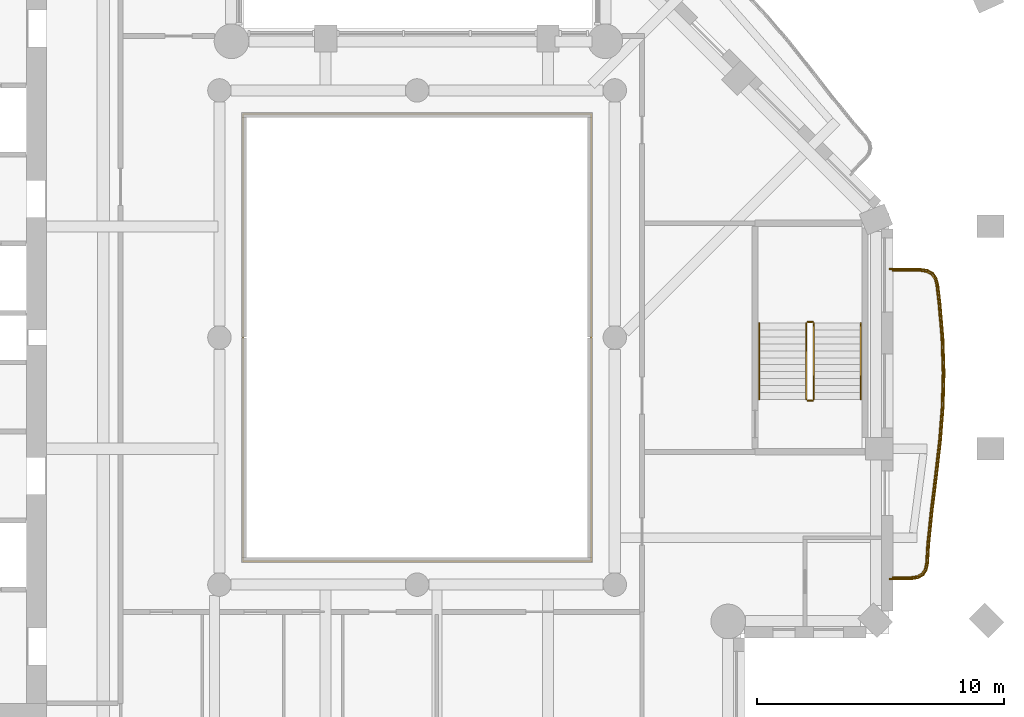
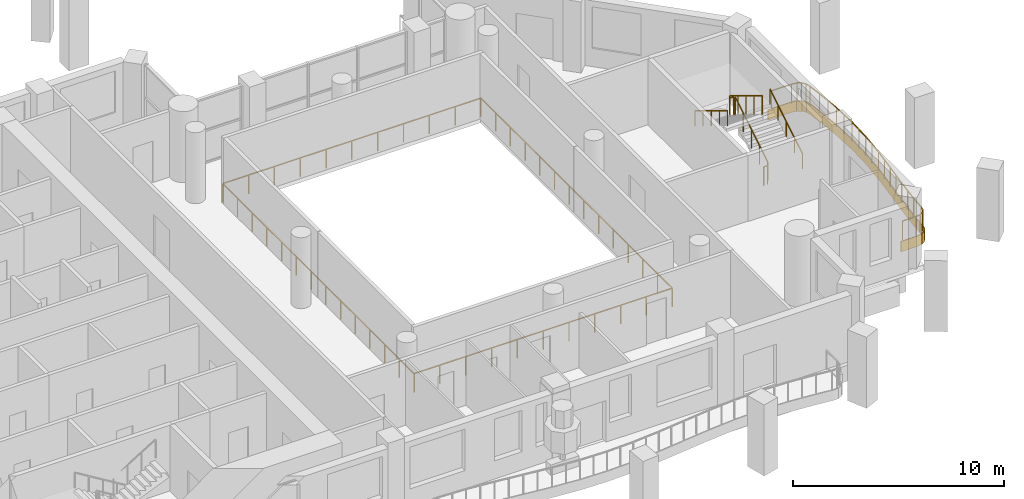
# One storey, part 11 of 14: 8 railings, 1 covering.
"""IFC4 building model written with IfcOpenShell, lengths in metres."""

from ifc_helpers import new_model, si_unit, direction, frame, origin, origin_2d, place, context, subcontext, project, spatial, polyline, rectangle, outline, extrude, material, layer, layer_set, type_object, element, save


model = new_model("IFC4")

# Units and contexts
model_context = context("Model", 3, precision=1e-05, world=origin(), true_north=direction((0.0, 1.0)))
body_context = subcontext(model_context, "Body", "Model", "MODEL_VIEW")
ifc_project = project(units=[si_unit("LENGTHUNIT", "METRE"), si_unit("AREAUNIT", "SQUARE_METRE"), si_unit("VOLUMEUNIT", "CUBIC_METRE"), si_unit("PLANEANGLEUNIT", "RADIAN"), si_unit("MASSUNIT", "GRAM", prefix="KILO")], contexts=[model_context])

# Site, building, storey
site_placement = place(None, origin())
site = spatial("IfcSite", under=ifc_project, at=site_placement, CompositionType="ELEMENT")
building_placement = place(site_placement, origin())
building = spatial("IfcBuilding", under=site, at=building_placement, Name="Cypress Arch Tower", CompositionType="ELEMENT")
storey_placement = place(building_placement, frame((0.0, 0.0, 185.10009765625)))
storey = spatial("IfcBuildingStorey", under=building, at=storey_placement, Name="L40", CompositionType="ELEMENT", Elevation=185.10009765625)

# Railing
ifc_material_1 = material(Name="Stainless steel posts and handrail, laminated glass infill", Category="steel")
railing_type_1 = type_object("IfcRailingType", Name="Atrium guard GR1100A", PredefinedType="GUARDRAIL", material=ifc_material_1)
railing_1_placement = place(storey_placement, frame((8.050048828125, -9.050048828125, 0.0)))
element("IfcRailing", 1, at=railing_1_placement, inside=storey, type_object=railing_type_1, Name="Atrium guard L40", PredefinedType="GUARDRAIL", context=body_context, shape_type="SweptSolid", body=[
    extrude(rectangle(XDim=0.050048828125, YDim=0.050048828125, at=origin_2d()), frame((0.0, 0.0, 1.0751953125), z_axis=(-1.0, 0.0, 0.0), x_axis=(0.0, -1.0, 0.0)), (0.0, 0.0, 1.0), 14.10009765625),
    extrude(rectangle(XDim=0.050048828125, YDim=0.050048828125, at=origin_2d()), frame((-14.10009765625, 0.0, 1.0751953125), z_axis=(0.0, 1.0, 0.0), x_axis=(-1.0, 0.0, 0.0)), (0.0, 0.0, 1.0), 18.10009765625),
    extrude(rectangle(XDim=0.050048828125, YDim=0.050048828125, at=origin_2d()), frame((-14.10009765625, 18.10009765625, 1.0751953125), z_axis=(1.0, 0.0, 0.0), x_axis=(0.0, 1.0, 0.0)), (0.0, 0.0, 1.0), 14.10009765625),
    extrude(rectangle(XDim=0.050048828125, YDim=0.050048828125, at=origin_2d()), frame((0.0, 18.10009765625, 1.0751953125), z_axis=(0.0, -1.0, 0.0), x_axis=(1.0, 0.0, 0.0)), (0.0, 0.0, 1.0), 18.10009765625),
    extrude(rectangle(XDim=0.050048828125, YDim=0.050048828125, at=origin_2d()), origin(), (0.0, 0.0, 1.0), 1.050048828125),
    extrude(rectangle(XDim=0.050048828125, YDim=0.050048828125, at=origin_2d()), frame((-1.409912109375, 0.0, 0.0)), (0.0, 0.0, 1.0), 1.050048828125),
    extrude(rectangle(XDim=0.050048828125, YDim=0.050048828125, at=origin_2d()), frame((-2.820068359375, 0.0, 0.0)), (0.0, 0.0, 1.0), 1.050048828125),
    extrude(rectangle(XDim=0.050048828125, YDim=0.050048828125, at=origin_2d()), frame((-4.22998046875, 0.0, 0.0)), (0.0, 0.0, 1.0), 1.050048828125),
    extrude(rectangle(XDim=0.050048828125, YDim=0.050048828125, at=origin_2d()), frame((-5.64013671875, 0.0, 0.0)), (0.0, 0.0, 1.0), 1.050048828125),
    extrude(rectangle(XDim=0.050048828125, YDim=0.050048828125, at=origin_2d()), frame((-7.050048828125, 0.0, 0.0)), (0.0, 0.0, 1.0), 1.050048828125),
    extrude(rectangle(XDim=0.050048828125, YDim=0.050048828125, at=origin_2d()), frame((-8.4599609375, 0.0, 0.0)), (0.0, 0.0, 1.0), 1.050048828125),
    extrude(rectangle(XDim=0.050048828125, YDim=0.050048828125, at=origin_2d()), frame((-9.8701171875, 0.0, 0.0)), (0.0, 0.0, 1.0), 1.050048828125),
    extrude(rectangle(XDim=0.050048828125, YDim=0.050048828125, at=origin_2d()), frame((-11.280029296875, 0.0, 0.0)), (0.0, 0.0, 1.0), 1.050048828125),
    extrude(rectangle(XDim=0.050048828125, YDim=0.050048828125, at=origin_2d()), frame((-12.690185546875, 0.0, 0.0)), (0.0, 0.0, 1.0), 1.050048828125),
    extrude(rectangle(XDim=0.050048828125, YDim=0.050048828125, at=origin_2d()), frame((-14.10009765625, 0.0, 0.0)), (0.0, 0.0, 1.0), 1.050048828125),
    extrude(rectangle(XDim=0.050048828125, YDim=0.050048828125, at=origin_2d()), frame((-14.10009765625, 1.392333984375, 0.0)), (0.0, 0.0, 1.0), 1.050048828125),
    extrude(rectangle(XDim=0.050048828125, YDim=0.050048828125, at=origin_2d()), frame((-14.10009765625, 2.78466796875, 0.0)), (0.0, 0.0, 1.0), 1.050048828125),
    extrude(rectangle(XDim=0.050048828125, YDim=0.050048828125, at=origin_2d()), frame((-14.10009765625, 4.177001953125, 0.0)), (0.0, 0.0, 1.0), 1.050048828125),
    extrude(rectangle(XDim=0.050048828125, YDim=0.050048828125, at=origin_2d()), frame((-14.10009765625, 5.5693359375, 0.0)), (0.0, 0.0, 1.0), 1.050048828125),
    extrude(rectangle(XDim=0.050048828125, YDim=0.050048828125, at=origin_2d()), frame((-14.10009765625, 6.961669921875, 0.0)), (0.0, 0.0, 1.0), 1.050048828125),
    extrude(rectangle(XDim=0.050048828125, YDim=0.050048828125, at=origin_2d()), frame((-14.10009765625, 8.35400390625, 0.0)), (0.0, 0.0, 1.0), 1.050048828125),
    extrude(rectangle(XDim=0.050048828125, YDim=0.050048828125, at=origin_2d()), frame((-14.10009765625, 9.74609375, 0.0)), (0.0, 0.0, 1.0), 1.050048828125),
    extrude(rectangle(XDim=0.050048828125, YDim=0.050048828125, at=origin_2d()), frame((-14.10009765625, 11.138427734375, 0.0)), (0.0, 0.0, 1.0), 1.050048828125),
    extrude(rectangle(XDim=0.050048828125, YDim=0.050048828125, at=origin_2d()), frame((-14.10009765625, 12.53076171875, 0.0)), (0.0, 0.0, 1.0), 1.050048828125),
    extrude(rectangle(XDim=0.050048828125, YDim=0.050048828125, at=origin_2d()), frame((-14.10009765625, 13.923095703125, 0.0)), (0.0, 0.0, 1.0), 1.050048828125),
    extrude(rectangle(XDim=0.050048828125, YDim=0.050048828125, at=origin_2d()), frame((-14.10009765625, 15.3154296875, 0.0)), (0.0, 0.0, 1.0), 1.050048828125),
    extrude(rectangle(XDim=0.050048828125, YDim=0.050048828125, at=origin_2d()), frame((-14.10009765625, 16.707763671875, 0.0)), (0.0, 0.0, 1.0), 1.050048828125),
    extrude(rectangle(XDim=0.050048828125, YDim=0.050048828125, at=origin_2d()), frame((-14.10009765625, 18.10009765625, 0.0)), (0.0, 0.0, 1.0), 1.050048828125),
    extrude(rectangle(XDim=0.050048828125, YDim=0.050048828125, at=origin_2d()), frame((-12.690185546875, 18.10009765625, 0.0)), (0.0, 0.0, 1.0), 1.050048828125),
    extrude(rectangle(XDim=0.050048828125, YDim=0.050048828125, at=origin_2d()), frame((-11.280029296875, 18.10009765625, 0.0)), (0.0, 0.0, 1.0), 1.050048828125),
    extrude(rectangle(XDim=0.050048828125, YDim=0.050048828125, at=origin_2d()), frame((-9.8701171875, 18.10009765625, 0.0)), (0.0, 0.0, 1.0), 1.050048828125),
    extrude(rectangle(XDim=0.050048828125, YDim=0.050048828125, at=origin_2d()), frame((-8.4599609375, 18.10009765625, 0.0)), (0.0, 0.0, 1.0), 1.050048828125),
    extrude(rectangle(XDim=0.050048828125, YDim=0.050048828125, at=origin_2d()), frame((-7.050048828125, 18.10009765625, 0.0)), (0.0, 0.0, 1.0), 1.050048828125),
    extrude(rectangle(XDim=0.050048828125, YDim=0.050048828125, at=origin_2d()), frame((-5.64013671875, 18.10009765625, 0.0)), (0.0, 0.0, 1.0), 1.050048828125),
    extrude(rectangle(XDim=0.050048828125, YDim=0.050048828125, at=origin_2d()), frame((-4.22998046875, 18.10009765625, 0.0)), (0.0, 0.0, 1.0), 1.050048828125),
    extrude(rectangle(XDim=0.050048828125, YDim=0.050048828125, at=origin_2d()), frame((-2.820068359375, 18.10009765625, 0.0)), (0.0, 0.0, 1.0), 1.050048828125),
    extrude(rectangle(XDim=0.050048828125, YDim=0.050048828125, at=origin_2d()), frame((-1.409912109375, 18.10009765625, 0.0)), (0.0, 0.0, 1.0), 1.050048828125),
    extrude(rectangle(XDim=0.050048828125, YDim=0.050048828125, at=origin_2d()), frame((0.0, 18.10009765625, 0.0)), (0.0, 0.0, 1.0), 1.050048828125),
    extrude(rectangle(XDim=0.050048828125, YDim=0.050048828125, at=origin_2d()), frame((0.0, 16.707763671875, 0.0)), (0.0, 0.0, 1.0), 1.050048828125),
    extrude(rectangle(XDim=0.050048828125, YDim=0.050048828125, at=origin_2d()), frame((0.0, 15.3154296875, 0.0)), (0.0, 0.0, 1.0), 1.050048828125),
    extrude(rectangle(XDim=0.050048828125, YDim=0.050048828125, at=origin_2d()), frame((0.0, 13.923095703125, 0.0)), (0.0, 0.0, 1.0), 1.050048828125),
    extrude(rectangle(XDim=0.050048828125, YDim=0.050048828125, at=origin_2d()), frame((0.0, 12.53076171875, 0.0)), (0.0, 0.0, 1.0), 1.050048828125),
    extrude(rectangle(XDim=0.050048828125, YDim=0.050048828125, at=origin_2d()), frame((0.0, 11.138427734375, 0.0)), (0.0, 0.0, 1.0), 1.050048828125),
    extrude(rectangle(XDim=0.050048828125, YDim=0.050048828125, at=origin_2d()), frame((0.0, 9.74609375, 0.0)), (0.0, 0.0, 1.0), 1.050048828125),
    extrude(rectangle(XDim=0.050048828125, YDim=0.050048828125, at=origin_2d()), frame((0.0, 8.35400390625, 0.0)), (0.0, 0.0, 1.0), 1.050048828125),
    extrude(rectangle(XDim=0.050048828125, YDim=0.050048828125, at=origin_2d()), frame((0.0, 6.961669921875, 0.0)), (0.0, 0.0, 1.0), 1.050048828125),
    extrude(rectangle(XDim=0.050048828125, YDim=0.050048828125, at=origin_2d()), frame((0.0, 5.5693359375, 0.0)), (0.0, 0.0, 1.0), 1.050048828125),
    extrude(rectangle(XDim=0.050048828125, YDim=0.050048828125, at=origin_2d()), frame((0.0, 4.177001953125, 0.0)), (0.0, 0.0, 1.0), 1.050048828125),
    extrude(rectangle(XDim=0.050048828125, YDim=0.050048828125, at=origin_2d()), frame((0.0, 2.78466796875, 0.0)), (0.0, 0.0, 1.0), 1.050048828125),
    extrude(rectangle(XDim=0.050048828125, YDim=0.050048828125, at=origin_2d()), frame((0.0, 1.392333984375, 0.0)), (0.0, 0.0, 1.0), 1.050048828125),
])

# Covering
ifc_material_2 = material(Name="White powder-coated aluminium fascia", Category="aluminium")
ifc_layer = layer(ifc_material_2, 0.050048828125)
ifc_layer_set = layer_set([ifc_layer], Name="Balcony fascia BF50")
covering_type = type_object("IfcCoveringType", Name="Balcony fascia BF50", PredefinedType="CLADDING", material=ifc_layer_set)
covering_placement = place(storey_placement, frame((0.0, 0.0, -0.60009765625)))
element("IfcCovering", 2, at=covering_placement, inside=storey, type_object=covering_type, Name="Balcony fascia L40-B04", PredefinedType="CLADDING", context=body_context, shape_type="SweptSolid", body=[
    extrude(outline(polyline([(21.364501953125, 2.800048828125), (21.656982421875, 2.75927734375), (21.88525390625, 2.632080078125), (22.038330078125, 2.420166015625), (22.11279296875, 2.13427734375), (22.203125, 1.3662109375), (22.321533203125, -0.02490234375), (22.367919921875, -1.41650390625), (22.331298828125, -2.80810546875), (22.22021484375, -4.19921875), (22.060546875, -5.58935546875), (21.88916015625, -6.977783203125), (21.745361328125, -8.365234375), (21.699462890625, -9.131591796875), (21.641357421875, -9.41796875), (21.500244140625, -9.631103515625), (21.279052734375, -9.759033203125), (20.98974609375, -9.800048828125), (20.10107421875, -9.800048828125), (20.10107421875, -9.75), (20.986083984375, -9.75), (21.262451171875, -9.7109375), (21.465087890625, -9.59375), (21.59423828125, -9.3984375), (21.649658203125, -9.125), (21.695556640625, -8.361083984375), (21.839599609375, -6.97216796875), (22.010986328125, -5.583251953125), (22.170654296875, -4.1943359375), (22.28125, -2.8056640625), (22.31787109375, -1.416748046875), (22.271484375, -0.02783203125), (22.1533203125, 1.361083984375), (22.063720703125, 2.125), (21.9921875, 2.3984375), (21.851318359375, 2.59375), (21.640869140625, 2.7109375), (21.361083984375, 2.75), (20.10107421875, 2.75), (20.10107421875, 2.800048828125), (21.364501953125, 2.800048828125)])), origin(), (0.0, 0.0, 1.0), 0.60009765625),
])

# Railings
ifc_material_3 = material(Name="Powder-coated steel posts and rods, 100 mm clear between rods", Category="steel")
railing_type_2 = type_object("IfcRailingType", Name="Balcony guard GR1100", PredefinedType="GUARDRAIL", material=ifc_material_3)
railing_2_placement = place(storey_placement, frame((20.25, 2.699951171875, 0.0)))
element("IfcRailing", 3, at=railing_2_placement, inside=storey, type_object=railing_type_2, Name="Balcony guard L40-B04", PredefinedType="GUARDRAIL", context=body_context, shape_type="SweptSolid", body=[
    extrude(rectangle(XDim=0.050048828125, YDim=0.050048828125, at=origin_2d()), frame((0.0, 0.0, 1.0751953125), z_axis=(1.0, 0.0, 0.0), x_axis=(0.0, 1.0, 0.0)), (0.0, 0.0, 1.0), 1.107421875),
    extrude(rectangle(XDim=0.050048828125, YDim=0.050048828125, at=origin_2d()), frame((1.107421875, 0.0, 1.0751953125), z_axis=(0.990378967822, -0.138381718792, 0.0), x_axis=(0.138381718792, 0.990378967822, 0.0)), (0.0, 0.0, 1.0), 0.27001953125),
    extrude(rectangle(XDim=0.050048828125, YDim=0.050048828125, at=origin_2d()), frame((1.374755859375, -0.037353515625, 1.0751953125), z_axis=(0.873581442895, -0.486677986588, 0.0), x_axis=(0.486677986588, 0.873581442895, 0.0)), (0.0, 0.0, 1.0), 0.22021484375),
    extrude(rectangle(XDim=0.050048828125, YDim=0.050048828125, at=origin_2d()), frame((1.567138671875, -0.14453125, 1.0751953125), z_axis=(0.585733088607, -0.810504009188, 0.0), x_axis=(0.810504009188, 0.585733088607, 0.0)), (0.0, 0.0, 1.0), 0.220458984375),
    extrude(rectangle(XDim=0.050048828125, YDim=0.050048828125, at=origin_2d()), frame((1.6962890625, -0.3232421875, 1.0751953125), z_axis=(0.252532434009, -0.96758842995, 0.0), x_axis=(0.96758842995, 0.252532434009, 0.0)), (0.0, 0.0, 1.0), 0.269775390625),
    extrude(rectangle(XDim=0.050048828125, YDim=0.050048828125, at=origin_2d()), frame((1.764404296875, -0.584228515625, 1.0751953125), z_axis=(0.116489413777, -0.993191933353, 0.0), x_axis=(0.993191933353, 0.116489413777, 0.0)), (0.0, 0.0, 1.0), 0.764892578125),
    extrude(rectangle(XDim=0.050048828125, YDim=0.050048828125, at=origin_2d()), frame((1.853515625, -1.343994140625, 1.0751953125), z_axis=(0.084903584344, -0.996389171642, 0.0), x_axis=(0.996389171642, 0.084903584344, 0.0)), (0.0, 0.0, 1.0), 1.391845703125),
    extrude(rectangle(XDim=0.050048828125, YDim=0.050048828125, at=origin_2d()), frame((1.9716796875, -2.730712890625, 1.0751953125), z_axis=(0.033273797035, -0.999446273909, 0.0), x_axis=(0.999446273909, 0.033273797035, 0.0)), (0.0, 0.0, 1.0), 1.38671875),
    extrude(rectangle(XDim=0.050048828125, YDim=0.050048828125, at=origin_2d()), frame((2.017822265625, -4.11669921875, 1.0751953125), z_axis=(-0.026232603741, -0.999655866036, 0.0), x_axis=(0.999655866036, -0.026232603741, 0.0)), (0.0, 0.0, 1.0), 1.38671875),
    extrude(rectangle(XDim=0.050048828125, YDim=0.050048828125, at=origin_2d()), frame((1.9814453125, -5.5029296875, 1.0751953125), z_axis=(-0.07950108365, -0.996834779539, 0.0), x_axis=(0.996834779539, -0.07950108365, 0.0)), (0.0, 0.0, 1.0), 1.39111328125),
    extrude(rectangle(XDim=0.050048828125, YDim=0.050048828125, at=origin_2d()), frame((1.870849609375, -6.8896484375, 1.0751953125), z_axis=(-0.114133171192, -0.993465459507, 0.0), x_axis=(0.993465459507, -0.114133171192, 0.0)), (0.0, 0.0, 1.0), 1.396728515625),
    extrude(rectangle(XDim=0.050048828125, YDim=0.050048828125, at=origin_2d()), frame((1.71142578125, -8.27734375, 1.0751953125), z_axis=(-0.12261777512, -0.992453969323, 0.0), x_axis=(0.992453969323, -0.12261777512, 0.0)), (0.0, 0.0, 1.0), 1.399658203125),
    extrude(rectangle(XDim=0.050048828125, YDim=0.050048828125, at=origin_2d()), frame((1.539794921875, -9.66650390625, 1.0751953125), z_axis=(-0.103048122791, -0.994676371685, 0.0), x_axis=(0.994676371685, -0.103048122791, 0.0)), (0.0, 0.0, 1.0), 1.397705078125),
    extrude(rectangle(XDim=0.050048828125, YDim=0.050048828125, at=origin_2d()), frame((1.395751953125, -11.056884765625, 1.0751953125), z_axis=(-0.059847645666, -0.998207523168, 0.0), x_axis=(0.998207523168, -0.059847645666, 0.0)), (0.0, 0.0, 1.0), 0.762939453125),
    extrude(rectangle(XDim=0.050048828125, YDim=0.050048828125, at=origin_2d()), frame((1.35009765625, -11.818359375, 1.0751953125), z_axis=(-0.199294203769, -0.979939702402, 0.0), x_axis=(0.979939702402, -0.199294203769, 0.0)), (0.0, 0.0, 1.0), 0.265869140625),
    extrude(rectangle(XDim=0.050048828125, YDim=0.050048828125, at=origin_2d()), frame((1.297119140625, -12.078857421875, 1.0751953125), z_axis=(-0.550986125884, -0.834514403161, 0.0), x_axis=(0.834514403161, -0.550986125884, 0.0)), (0.0, 0.0, 1.0), 0.212646484375),
    extrude(rectangle(XDim=0.050048828125, YDim=0.050048828125, at=origin_2d()), frame((1.179931640625, -12.25634765625, 1.0751953125), z_axis=(-0.865688187955, -0.500583620621, 0.0), x_axis=(0.500583620621, -0.865688187955, 0.0)), (0.0, 0.0, 1.0), 0.212646484375),
    extrude(rectangle(XDim=0.050048828125, YDim=0.050048828125, at=origin_2d()), frame((0.995849609375, -12.36279296875, 1.0751953125), z_axis=(-0.990205052652, -0.139620749539, 0.0), x_axis=(0.139620749539, -0.990205052652, 0.0)), (0.0, 0.0, 1.0), 0.265869140625),
    extrude(rectangle(XDim=0.050048828125, YDim=0.050048828125, at=origin_2d()), frame((0.732666015625, -12.39990234375, 1.0751953125), z_axis=(-1.0, 0.0, 0.0), x_axis=(0.0, -1.0, 0.0)), (0.0, 0.0, 1.0), 0.732666015625),
    extrude(rectangle(XDim=0.0400390625, YDim=0.0400390625, at=origin_2d()), origin(), (0.0, 0.0, 1.0), 1.050048828125),
    extrude(rectangle(XDim=0.0400390625, YDim=0.0400390625, at=origin_2d()), frame((1.107421875, 0.0, 0.0)), (0.0, 0.0, 1.0), 1.050048828125),
    extrude(rectangle(XDim=0.0400390625, YDim=0.0400390625, at=origin_2d()), frame((1.374755859375, -0.037353515625, 0.0)), (0.0, 0.0, 1.0), 1.050048828125),
    extrude(rectangle(XDim=0.0400390625, YDim=0.0400390625, at=origin_2d()), frame((1.567138671875, -0.14453125, 0.0)), (0.0, 0.0, 1.0), 1.050048828125),
    extrude(rectangle(XDim=0.0400390625, YDim=0.0400390625, at=origin_2d()), frame((1.6962890625, -0.3232421875, 0.0)), (0.0, 0.0, 1.0), 1.050048828125),
    extrude(rectangle(XDim=0.0400390625, YDim=0.0400390625, at=origin_2d()), frame((1.764404296875, -0.584228515625, 0.0)), (0.0, 0.0, 1.0), 1.050048828125),
    extrude(rectangle(XDim=0.0400390625, YDim=0.0400390625, at=origin_2d()), frame((1.853515625, -1.343994140625, 0.0)), (0.0, 0.0, 1.0), 1.050048828125),
    extrude(rectangle(XDim=0.0400390625, YDim=0.0400390625, at=origin_2d()), frame((1.91259765625, -2.037353515625, 0.0)), (0.0, 0.0, 1.0), 1.050048828125),
    extrude(rectangle(XDim=0.0400390625, YDim=0.0400390625, at=origin_2d()), frame((1.9716796875, -2.730712890625, 0.0)), (0.0, 0.0, 1.0), 1.050048828125),
    extrude(rectangle(XDim=0.0400390625, YDim=0.0400390625, at=origin_2d()), frame((1.99462890625, -3.423828125, 0.0)), (0.0, 0.0, 1.0), 1.050048828125),
    extrude(rectangle(XDim=0.0400390625, YDim=0.0400390625, at=origin_2d()), frame((2.017822265625, -4.11669921875, 0.0)), (0.0, 0.0, 1.0), 1.050048828125),
    extrude(rectangle(XDim=0.0400390625, YDim=0.0400390625, at=origin_2d()), frame((1.99951171875, -4.809814453125, 0.0)), (0.0, 0.0, 1.0), 1.050048828125),
    extrude(rectangle(XDim=0.0400390625, YDim=0.0400390625, at=origin_2d()), frame((1.9814453125, -5.5029296875, 0.0)), (0.0, 0.0, 1.0), 1.050048828125),
    extrude(rectangle(XDim=0.0400390625, YDim=0.0400390625, at=origin_2d()), frame((1.92626953125, -6.1962890625, 0.0)), (0.0, 0.0, 1.0), 1.050048828125),
    extrude(rectangle(XDim=0.0400390625, YDim=0.0400390625, at=origin_2d()), frame((1.870849609375, -6.8896484375, 0.0)), (0.0, 0.0, 1.0), 1.050048828125),
    extrude(rectangle(XDim=0.0400390625, YDim=0.0400390625, at=origin_2d()), frame((1.791015625, -7.58349609375, 0.0)), (0.0, 0.0, 1.0), 1.050048828125),
    extrude(rectangle(XDim=0.0400390625, YDim=0.0400390625, at=origin_2d()), frame((1.71142578125, -8.27734375, 0.0)), (0.0, 0.0, 1.0), 1.050048828125),
    extrude(rectangle(XDim=0.0400390625, YDim=0.0400390625, at=origin_2d()), frame((1.62548828125, -8.971923828125, 0.0)), (0.0, 0.0, 1.0), 1.050048828125),
    extrude(rectangle(XDim=0.0400390625, YDim=0.0400390625, at=origin_2d()), frame((1.539794921875, -9.66650390625, 0.0)), (0.0, 0.0, 1.0), 1.050048828125),
    extrude(rectangle(XDim=0.0400390625, YDim=0.0400390625, at=origin_2d()), frame((1.4677734375, -10.36181640625, 0.0)), (0.0, 0.0, 1.0), 1.050048828125),
    extrude(rectangle(XDim=0.0400390625, YDim=0.0400390625, at=origin_2d()), frame((1.395751953125, -11.056884765625, 0.0)), (0.0, 0.0, 1.0), 1.050048828125),
    extrude(rectangle(XDim=0.0400390625, YDim=0.0400390625, at=origin_2d()), frame((1.35009765625, -11.818359375, 0.0)), (0.0, 0.0, 1.0), 1.050048828125),
    extrude(rectangle(XDim=0.0400390625, YDim=0.0400390625, at=origin_2d()), frame((1.297119140625, -12.078857421875, 0.0)), (0.0, 0.0, 1.0), 1.050048828125),
    extrude(rectangle(XDim=0.0400390625, YDim=0.0400390625, at=origin_2d()), frame((1.179931640625, -12.25634765625, 0.0)), (0.0, 0.0, 1.0), 1.050048828125),
    extrude(rectangle(XDim=0.0400390625, YDim=0.0400390625, at=origin_2d()), frame((0.995849609375, -12.36279296875, 0.0)), (0.0, 0.0, 1.0), 1.050048828125),
    extrude(rectangle(XDim=0.0400390625, YDim=0.0400390625, at=origin_2d()), frame((0.732666015625, -12.39990234375, 0.0)), (0.0, 0.0, 1.0), 1.050048828125),
    extrude(rectangle(XDim=0.0400390625, YDim=0.0400390625, at=origin_2d()), frame((0.0, -12.39990234375, 0.0)), (0.0, 0.0, 1.0), 1.050048828125),
])
ifc_material_4 = material(Name="Black powder-coated steel square bar 48 mm", Category="steel")
railing_type_3 = type_object("IfcRailingType", Name="Stair handrail HR1", PredefinedType="HANDRAIL", material=ifc_material_4)
railing_3_placement = place(storey_placement, frame((18.949951171875, -2.5, 0.170654296875)))
element("IfcRailing", 4, at=railing_3_placement, inside=storey, type_object=railing_type_3, Name="L40 C stair handrail 1", PredefinedType="HANDRAIL", context=body_context, shape_type="SweptSolid", body=[
    extrude(rectangle(XDim=0.048095703125, YDim=0.048095703125, at=origin_2d()), frame((0.0, 0.0, 0.8759765625), z_axis=(0.0, 0.853666305674, 0.52082035152), x_axis=(-1.0, 0.0, 0.0)), (0.0, 0.0, 1.0), 3.608154296875),
    extrude(rectangle(XDim=0.0419921875, YDim=0.0419921875, at=origin_2d()), origin(), (0.0, 0.0, 1.0), 0.851806640625),
    extrude(rectangle(XDim=0.0419921875, YDim=0.0419921875, at=origin_2d()), frame((0.0, 0.77001953125, 0.4697265625)), (0.0, 0.0, 1.0), 0.851806640625),
    extrude(rectangle(XDim=0.0419921875, YDim=0.0419921875, at=origin_2d()), frame((0.0, 1.5400390625, 0.939453125)), (0.0, 0.0, 1.0), 0.851806640625),
    extrude(rectangle(XDim=0.0419921875, YDim=0.0419921875, at=origin_2d()), frame((0.0, 2.31005859375, 1.409423828125)), (0.0, 0.0, 1.0), 0.851806640625),
    extrude(rectangle(XDim=0.0419921875, YDim=0.0419921875, at=origin_2d()), frame((0.0, 3.080078125, 1.879150390625)), (0.0, 0.0, 1.0), 0.851806640625),
])
railing_4_placement = place(storey_placement, frame((14.85009765625, 0.580078125, 2.220703125)))
element("IfcRailing", 5, at=railing_4_placement, inside=storey, type_object=railing_type_3, Name="L40 C stair handrail 2", PredefinedType="HANDRAIL", context=body_context, shape_type="SweptSolid", body=[
    extrude(rectangle(XDim=0.048095703125, YDim=0.048095703125, at=origin_2d()), frame((0.0, 0.0, 0.8759765625), z_axis=(0.0, -0.853666305674, 0.52082035152), x_axis=(1.0, 0.0, 0.0)), (0.0, 0.0, 1.0), 3.608154296875),
    extrude(rectangle(XDim=0.0419921875, YDim=0.0419921875, at=origin_2d()), origin(), (0.0, 0.0, 1.0), 0.851806640625),
    extrude(rectangle(XDim=0.0419921875, YDim=0.0419921875, at=origin_2d()), frame((0.0, -0.77001953125, 0.4697265625)), (0.0, 0.0, 1.0), 0.851806640625),
    extrude(rectangle(XDim=0.0419921875, YDim=0.0419921875, at=origin_2d()), frame((0.0, -1.5400390625, 0.939453125)), (0.0, 0.0, 1.0), 0.851806640625),
    extrude(rectangle(XDim=0.0419921875, YDim=0.0419921875, at=origin_2d()), frame((0.0, -2.31005859375, 1.409423828125)), (0.0, 0.0, 1.0), 0.851806640625),
    extrude(rectangle(XDim=0.0419921875, YDim=0.0419921875, at=origin_2d()), frame((0.0, -3.080078125, 1.879150390625)), (0.0, 0.0, 1.0), 0.851806640625),
])
ifc_material_5 = material(Name="Black powder-coated steel balusters", Category="steel")
railing_type_4 = type_object("IfcRailingType", Name="Stair well guard G1", PredefinedType="GUARDRAIL", material=ifc_material_5)
railing_5_placement = place(storey_placement, frame((17.050048828125, -2.5, 0.170654296875)))
element("IfcRailing", 6, at=railing_5_placement, inside=storey, type_object=railing_type_4, Name="L40 C stair guard 1", PredefinedType="GUARDRAIL", context=body_context, shape_type="SweptSolid", body=[
    extrude(rectangle(XDim=0.048095703125, YDim=0.048095703125, at=origin_2d()), frame((0.0, 0.0, 1.076171875), z_axis=(0.0, 0.853666305674, 0.52082035152), x_axis=(-1.0, 0.0, 0.0)), (0.0, 0.0, 1.0), 3.608154296875),
    extrude(rectangle(XDim=0.0419921875, YDim=0.0419921875, at=origin_2d()), origin(), (0.0, 0.0, 1.0), 1.052001953125),
    extrude(rectangle(XDim=0.0419921875, YDim=0.0419921875, at=origin_2d()), frame((0.0, 0.77001953125, 0.4697265625)), (0.0, 0.0, 1.0), 1.052001953125),
    extrude(rectangle(XDim=0.0419921875, YDim=0.0419921875, at=origin_2d()), frame((0.0, 1.5400390625, 0.939453125)), (0.0, 0.0, 1.0), 1.052001953125),
    extrude(rectangle(XDim=0.0419921875, YDim=0.0419921875, at=origin_2d()), frame((0.0, 2.31005859375, 1.409423828125)), (0.0, 0.0, 1.0), 1.052001953125),
    extrude(rectangle(XDim=0.0419921875, YDim=0.0419921875, at=origin_2d()), frame((0.0, 3.080078125, 1.879150390625)), (0.0, 0.0, 1.0), 1.052001953125),
])
railing_6_placement = place(storey_placement, frame((17.0, 0.6298828125, 2.0498046875)))
element("IfcRailing", 7, at=railing_6_placement, inside=storey, type_object=railing_type_4, Name="L40 C stair guard 2", PredefinedType="GUARDRAIL", context=body_context, shape_type="SweptSolid", body=[
    extrude(rectangle(XDim=0.048095703125, YDim=0.048095703125, at=origin_2d()), frame((0.0, 0.0, 1.076171875), z_axis=(-1.0, 0.0, 0.0), x_axis=(0.0, -1.0, 0.0)), (0.0, 0.0, 1.0), 0.199951171875),
    extrude(rectangle(XDim=0.0419921875, YDim=0.0419921875, at=origin_2d()), origin(), (0.0, 0.0, 1.0), 1.052001953125),
    extrude(rectangle(XDim=0.0419921875, YDim=0.0419921875, at=origin_2d()), frame((-0.199951171875, 0.0, 0.0)), (0.0, 0.0, 1.0), 1.052001953125),
])
railing_7_placement = place(storey_placement, frame((16.75, 0.580078125, 2.220703125)))
element("IfcRailing", 8, at=railing_7_placement, inside=storey, type_object=railing_type_4, Name="L40 C stair guard 3", PredefinedType="GUARDRAIL", context=body_context, shape_type="SweptSolid", body=[
    extrude(rectangle(XDim=0.048095703125, YDim=0.048095703125, at=origin_2d()), frame((0.0, 0.0, 1.076171875), z_axis=(0.0, -0.853666305674, 0.52082035152), x_axis=(1.0, 0.0, 0.0)), (0.0, 0.0, 1.0), 3.608154296875),
    extrude(rectangle(XDim=0.0419921875, YDim=0.0419921875, at=origin_2d()), origin(), (0.0, 0.0, 1.0), 1.052001953125),
    extrude(rectangle(XDim=0.0419921875, YDim=0.0419921875, at=origin_2d()), frame((0.0, -0.77001953125, 0.4697265625)), (0.0, 0.0, 1.0), 1.052001953125),
    extrude(rectangle(XDim=0.0419921875, YDim=0.0419921875, at=origin_2d()), frame((0.0, -1.5400390625, 0.939453125)), (0.0, 0.0, 1.0), 1.052001953125),
    extrude(rectangle(XDim=0.0419921875, YDim=0.0419921875, at=origin_2d()), frame((0.0, -2.31005859375, 1.409423828125)), (0.0, 0.0, 1.0), 1.052001953125),
    extrude(rectangle(XDim=0.0419921875, YDim=0.0419921875, at=origin_2d()), frame((0.0, -3.080078125, 1.879150390625)), (0.0, 0.0, 1.0), 1.052001953125),
])
railing_8_placement = place(storey_placement, frame((17.0, -2.550048828125, 0.0)))
element("IfcRailing", 9, at=railing_8_placement, inside=storey, type_object=railing_type_4, Name="L40 C stair guard 4", PredefinedType="GUARDRAIL", context=body_context, shape_type="SweptSolid", body=[
    extrude(rectangle(XDim=0.048095703125, YDim=0.048095703125, at=origin_2d()), frame((0.0, 0.0, 1.076171875), z_axis=(-1.0, 0.0, 0.0), x_axis=(0.0, -1.0, 0.0)), (0.0, 0.0, 1.0), 0.199951171875),
    extrude(rectangle(XDim=0.0419921875, YDim=0.0419921875, at=origin_2d()), origin(), (0.0, 0.0, 1.0), 1.052001953125),
    extrude(rectangle(XDim=0.0419921875, YDim=0.0419921875, at=origin_2d()), frame((-0.199951171875, 0.0, 0.0)), (0.0, 0.0, 1.0), 1.052001953125),
])

save(model, "model.ifc")
